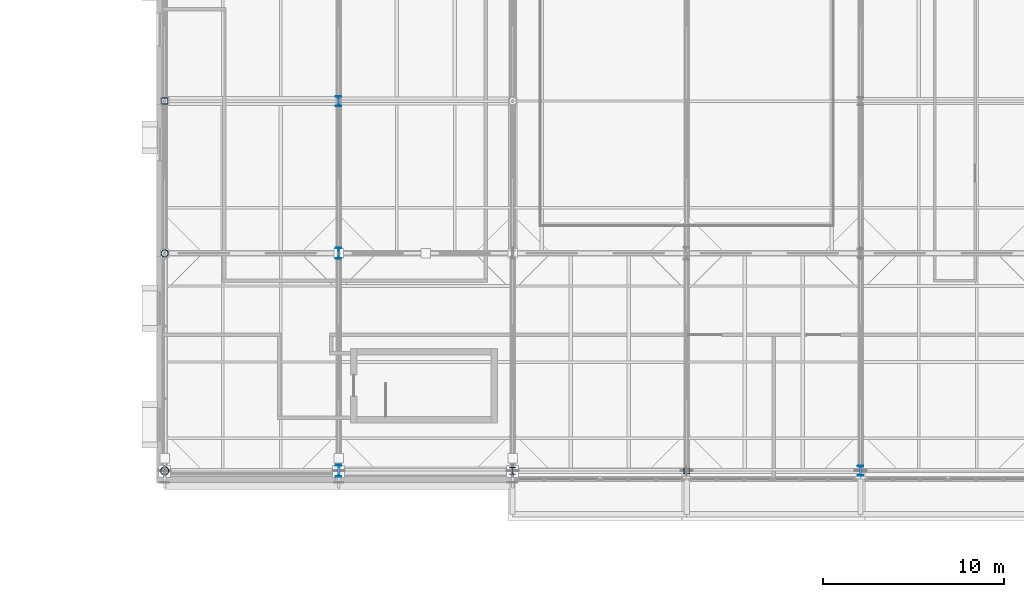
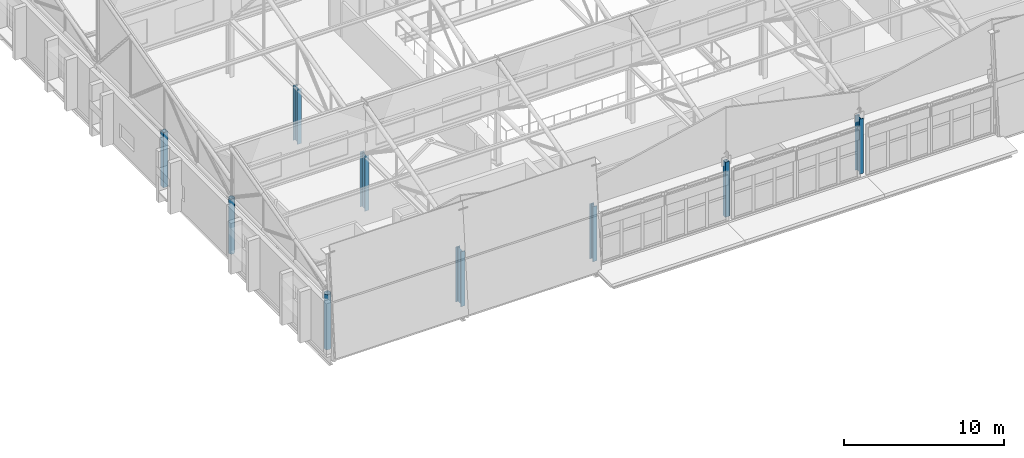
# One storey, part 2 of 89: 9 columns.
"""IFC4 building model written with IfcOpenShell, lengths in metres."""

from ifc_helpers import new_model, si_unit, direction, frame, origin, origin_2d, place, context, subcontext, project, spatial, hollow_rectangle, hollow_circle, i_section, extrude, material, material_profile, profile_set, type_object, element, save


model = new_model("IFC4")

# Units and contexts
model_context = context("Model", 3, precision=1e-05, world=origin(), true_north=direction((0.0, 1.0)))
body_context = subcontext(model_context, "Body", "Model", "MODEL_VIEW")
ifc_project = project(units=[si_unit("LENGTHUNIT", "METRE"), si_unit("AREAUNIT", "SQUARE_METRE"), si_unit("VOLUMEUNIT", "CUBIC_METRE"), si_unit("PLANEANGLEUNIT", "RADIAN"), si_unit("MASSUNIT", "GRAM", prefix="KILO")], contexts=[model_context])

# Site, building, storey
site_placement = place(None, origin())
site = spatial("IfcSite", under=ifc_project, at=site_placement, CompositionType="ELEMENT")
building_placement = place(site_placement, origin())
building = spatial("IfcBuilding", under=site, at=building_placement, Name="Zereglee Splitstone Museum", CompositionType="ELEMENT")
storey_placement = place(building_placement, frame((0.0, 0.0, 21.300048828125)))
storey = spatial("IfcBuildingStorey", under=building, at=storey_placement, Name="L04", CompositionType="ELEMENT", Elevation=21.300048828125)

# Columns
ifc_material_1 = material(Name="Steel S355J2H", Category="steel")
ifc_material_profile_1 = material_profile(ifc_material_1, hollow_circle(Radius=0.203125, WallThickness=0.02001953125, at=origin_2d()), Name="CHS 406.4x20")
ifc_profile_set_1 = profile_set([ifc_material_profile_1], Name="Steel S355J2H")
column_type_1 = type_object("IfcColumnType", Name="C-18", PredefinedType="COLUMN", material=ifc_profile_set_1)
column_1_placement = place(storey_placement, frame((78.0, 21.60009765625, 0.0), z_axis=(0.0, 0.0, 1.0), x_axis=(1.0, 0.0, 0.0)))
element("IfcColumn", 1, at=column_1_placement, inside=storey, type_object=column_type_1, Name="Column 10/C L04", PredefinedType="COLUMN", context=body_context, shape_type="SweptSolid", body=[
    extrude(hollow_circle(Radius=0.203125, WallThickness=0.02001953125, at=origin_2d()), origin(), (0.0, 0.0, 1.0), 4.199951171875),
])
ifc_material_profile_2 = material_profile(ifc_material_1, hollow_circle(Radius=0.228515625, WallThickness=0.02001953125, at=origin_2d()), Name="CHS 457.0x20")
ifc_profile_set_2 = profile_set([ifc_material_profile_2], Name="Steel S355J2H")
column_type_2 = type_object("IfcColumnType", Name="C-17", PredefinedType="COLUMN", material=ifc_profile_set_2)
column_2_placement = place(storey_placement, frame((78.0, 9.60009765625, 0.0), z_axis=(0.0, 0.0, 1.0), x_axis=(1.0, 0.0, 0.0)))
element("IfcColumn", 2, at=column_2_placement, inside=storey, type_object=column_type_2, Name="Column 10/B L04", PredefinedType="COLUMN", context=body_context, shape_type="SweptSolid", body=[
    extrude(hollow_circle(Radius=0.228515625, WallThickness=0.02001953125, at=origin_2d()), origin(), (0.0, 0.0, 1.0), 4.199951171875),
])
ifc_material_2 = material(Name="Steel S355J2", Category="steel")
ifc_material_profile_3 = material_profile(ifc_material_2, i_section(OverallWidth=0.300048828125, OverallDepth=0.39990234375, WebThickness=0.013427734375, FlangeThickness=0.02392578125, FilletRadius=0.027099609375, at=origin_2d()), Name="HE 400 B")
ifc_profile_set_3 = profile_set([ifc_material_profile_3], Name="Steel S355J2")
column_type_3 = type_object("IfcColumnType", Name="C-15", PredefinedType="COLUMN", material=ifc_profile_set_3)
column_3_placement = place(storey_placement, frame((97.199951171875, 9.60009765625, 0.0), z_axis=(0.0, 0.0, 1.0), x_axis=(1.0, 0.0, 0.0)))
element("IfcColumn", 3, at=column_3_placement, inside=storey, type_object=column_type_3, Name="Column 12/B L04", PredefinedType="COLUMN", context=body_context, shape_type="SweptSolid", body=[
    extrude(i_section(OverallWidth=0.300048828125, OverallDepth=0.39990234375, WebThickness=0.013427734375, FlangeThickness=0.02392578125, FilletRadius=0.027099609375, at=origin_2d()), origin(), (0.0, 0.0, 1.0), 4.199951171875),
])
ifc_material_profile_4 = material_profile(ifc_material_2, i_section(OverallWidth=0.300048828125, OverallDepth=0.550048828125, WebThickness=0.014892578125, FlangeThickness=0.029052734375, FilletRadius=0.027099609375, at=origin_2d()), Name="HE 550 B")
ifc_profile_set_4 = profile_set([ifc_material_profile_4], Name="Steel S355J2")
column_type_4 = type_object("IfcColumnType", Name="C-12", PredefinedType="COLUMN", material=ifc_profile_set_4)
for number, where, z_axis, x_axis, name in (
    (4, (87.60009765625, 30.0, 0.0), (0.0, 0.0, 1.0), (1.0, 0.0, 0.0), "Column 11/D L04"),
    (5, (116.39990234375, 9.60009765625, 0.0), (0.0, 0.0, 1.0), (1.0, 0.0, 0.0), "Column 14/B L04"),
):
    element("IfcColumn", number, at=place(storey_placement, frame(where, z_axis=z_axis, x_axis=x_axis)), inside=storey, type_object=column_type_4, Name=name, PredefinedType="COLUMN", context=body_context, shape_type="SweptSolid", body=[
        extrude(i_section(OverallWidth=0.300048828125, OverallDepth=0.550048828125, WebThickness=0.014892578125, FlangeThickness=0.029052734375, FilletRadius=0.027099609375, at=origin_2d()), origin(), (0.0, 0.0, 1.0), 4.199951171875),
    ])
ifc_material_profile_5 = material_profile(ifc_material_2, i_section(OverallWidth=0.300048828125, OverallDepth=0.60009765625, WebThickness=0.015380859375, FlangeThickness=0.030029296875, FilletRadius=0.027099609375, at=origin_2d()), Name="HE 600 B")
ifc_profile_set_5 = profile_set([ifc_material_profile_5], Name="Steel S355J2")
column_type_5 = type_object("IfcColumnType", Name="C-11", PredefinedType="COLUMN", material=ifc_profile_set_5)
column_4_placement = place(storey_placement, frame((87.60009765625, 21.60009765625, 0.0), z_axis=(0.0, 0.0, 1.0), x_axis=(1.0, 0.0, 0.0)))
element("IfcColumn", 6, at=column_4_placement, inside=storey, type_object=column_type_5, Name="Column 11/C L04", PredefinedType="COLUMN", context=body_context, shape_type="SweptSolid", body=[
    extrude(i_section(OverallWidth=0.300048828125, OverallDepth=0.60009765625, WebThickness=0.015380859375, FlangeThickness=0.030029296875, FilletRadius=0.027099609375, at=origin_2d()), origin(), (0.0, 0.0, 1.0), 4.199951171875),
])
ifc_material_profile_6 = material_profile(ifc_material_2, i_section(OverallWidth=0.300048828125, OverallDepth=0.64990234375, WebThickness=0.01611328125, FlangeThickness=0.031005859375, FilletRadius=0.027099609375, at=origin_2d()), Name="HE 650 B")
ifc_profile_set_6 = profile_set([ifc_material_profile_6], Name="Steel S355J2")
column_type_6 = type_object("IfcColumnType", Name="C-10", PredefinedType="COLUMN", material=ifc_profile_set_6)
column_5_placement = place(storey_placement, frame((87.60009765625, 9.60009765625, 0.0), z_axis=(0.0, 0.0, 1.0), x_axis=(1.0, 0.0, 0.0)))
element("IfcColumn", 7, at=column_5_placement, inside=storey, type_object=column_type_6, Name="Column 11/B L04", PredefinedType="COLUMN", context=body_context, shape_type="SweptSolid", body=[
    extrude(i_section(OverallWidth=0.300048828125, OverallDepth=0.64990234375, WebThickness=0.01611328125, FlangeThickness=0.031005859375, FilletRadius=0.027099609375, at=origin_2d()), origin(), (0.0, 0.0, 1.0), 4.199951171875),
])
ifc_material_profile_7 = material_profile(ifc_material_1, hollow_rectangle(XDim=0.300048828125, YDim=0.300048828125, WallThickness=0.01611328125, at=origin_2d()), Name="SHS 300x300x16")
ifc_profile_set_7 = profile_set([ifc_material_profile_7], Name="Steel S355J2H")
column_type_7 = type_object("IfcColumnType", Name="C-20", PredefinedType="COLUMN", material=ifc_profile_set_7)
column_6_placement = place(storey_placement, frame((106.800048828125, 9.60009765625, 0.0), z_axis=(0.0, 0.0, 1.0), x_axis=(1.0, 0.0, 0.0)))
element("IfcColumn", 8, at=column_6_placement, inside=storey, type_object=column_type_7, Name="Column 13/B L04", PredefinedType="COLUMN", context=body_context, shape_type="SweptSolid", body=[
    extrude(hollow_rectangle(XDim=0.300048828125, YDim=0.300048828125, WallThickness=0.01611328125, at=origin_2d()), origin(), (0.0, 0.0, 1.0), 4.199951171875),
])
ifc_material_profile_8 = material_profile(ifc_material_1, hollow_rectangle(XDim=0.35009765625, YDim=0.35009765625, WallThickness=0.01611328125, at=origin_2d()), Name="SHS 350x350x16")
ifc_profile_set_8 = profile_set([ifc_material_profile_8], Name="Steel S355J2H")
column_type_8 = type_object("IfcColumnType", Name="C-19", PredefinedType="COLUMN", material=ifc_profile_set_8)
column_7_placement = place(storey_placement, frame((78.0, 30.0, 0.0), z_axis=(0.0, 0.0, 1.0), x_axis=(1.0, 0.0, 0.0)))
element("IfcColumn", 9, at=column_7_placement, inside=storey, type_object=column_type_8, Name="Column 10/D L04", PredefinedType="COLUMN", context=body_context, shape_type="SweptSolid", body=[
    extrude(hollow_rectangle(XDim=0.35009765625, YDim=0.35009765625, WallThickness=0.01611328125, at=origin_2d()), origin(), (0.0, 0.0, 1.0), 4.199951171875),
])

save(model, "model.ifc")
